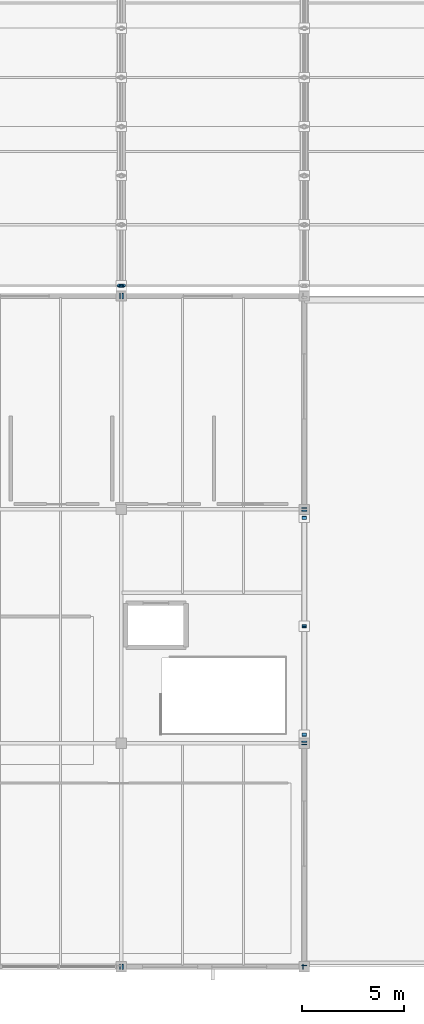
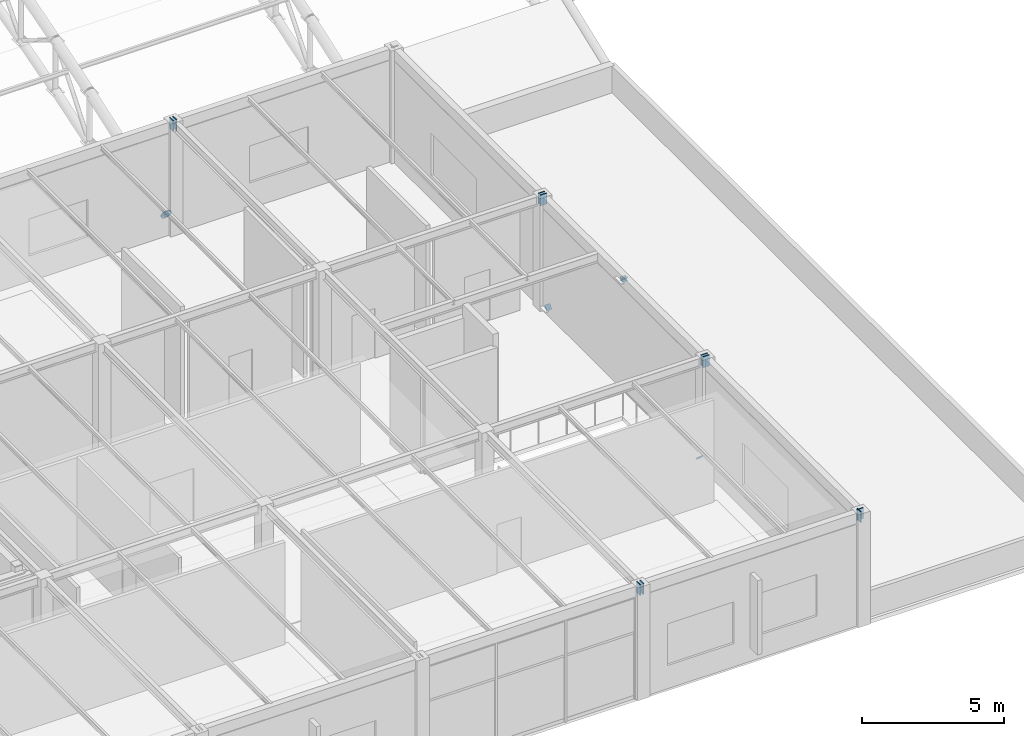
# One storey, part 151 of 195: 16 discrete accessories.
"""IFC4 building model written with IfcOpenShell, lengths in metres."""

from ifc_helpers import new_model, si_unit, direction, frame, origin, origin_2d, place, context, subcontext, project, spatial, rectangle, circle, extrude, material, element, save


model = new_model("IFC4")

# Units and contexts
model_context = context("Model", 3, precision=1e-05, world=origin(), true_north=direction((0.0, 1.0)))
body_context = subcontext(model_context, "Body", "Model", "MODEL_VIEW")
ifc_project = project(units=[si_unit("LENGTHUNIT", "METRE"), si_unit("AREAUNIT", "SQUARE_METRE"), si_unit("VOLUMEUNIT", "CUBIC_METRE"), si_unit("PLANEANGLEUNIT", "RADIAN"), si_unit("MASSUNIT", "GRAM", prefix="KILO")], contexts=[model_context])

# Site, building, storey
site_placement = place(None, origin())
site = spatial("IfcSite", under=ifc_project, at=site_placement, CompositionType="ELEMENT")
building_placement = place(site_placement, origin())
building = spatial("IfcBuilding", under=site, at=building_placement, Name="Marlcrest Central Station", CompositionType="ELEMENT")
storey_placement = place(building_placement, frame((0.0, 0.0, 9.800048828125)))
storey = spatial("IfcBuildingStorey", under=building, at=storey_placement, Name="L02", CompositionType="ELEMENT", Elevation=9.800048828125)

# Discrete accessories
ifc_material = material(Name="Steel S355", Category="steel")
for number, where, z_axis, x_axis, name in (
    (1, (197.9150390625, 0.0, 4.64501953125), (1.0, 0.0, 0.0), (0.0, 1.0, 0.0), "endcap-bm-SP-02-L02-00959-e"),
    (2, (198.045166015625, 0.0, 4.64501953125), (1.0, 0.0, 0.0), (0.0, 1.0, 0.0), "endcap-bm-SP-02-L02-00960-s"),
    (3, (206.9150390625, 0.0, 4.64501953125), (1.0, 0.0, 0.0), (0.0, 1.0, 0.0), "endcap-bm-SP-02-L02-00960-e"),
    (4, (197.9150390625, 33.0, 4.64501953125), (1.0, 0.0, 0.0), (0.0, 1.0, 0.0), "endcap-bm-SP-02-L02-00977-e"),
    (5, (198.045166015625, 33.0, 4.64501953125), (1.0, 0.0, 0.0), (0.0, 1.0, 0.0), "endcap-bm-SP-02-L02-00978-s"),
    (6, (207.0, 0.045166015625, 4.64501953125), (0.0, 1.0, 0.0), (-1.0, 0.0, 0.0), "endcap-bm-SP-02-L02-00997-s"),
    (7, (207.0, 10.9150390625, 4.64501953125), (0.0, 1.0, 0.0), (-1.0, 0.0, 0.0), "endcap-bm-SP-02-L02-00997-e"),
    (8, (207.0, 11.045166015625, 4.64501953125), (0.0, 1.0, 0.0), (-1.0, 0.0, 0.0), "endcap-bm-SP-02-L02-00998-s"),
    (9, (207.0, 22.4150390625, 4.64501953125), (0.0, 1.0, 0.0), (-1.0, 0.0, 0.0), "endcap-bm-SP-02-L02-00998-e"),
    (10, (207.0, 22.545166015625, 4.64501953125), (0.0, 1.0, 0.0), (-1.0, 0.0, 0.0), "endcap-bm-SP-02-L02-00999-s"),
):
    element("IfcDiscreteAccessory", number, at=place(storey_placement, frame(where, z_axis=z_axis, x_axis=x_axis)), inside=storey, material=ifc_material, Name=name, ObjectType="END_CAP_PLATE", PredefinedType="BRACKET", context=body_context, shape_type="SweptSolid", body=[
        extrude(rectangle(XDim=0.26611328125, YDim=0.466064453125, at=origin_2d()), origin(), (0.0, 0.0, 1.0), 0.0400390625),
    ])
for number, where, z_axis, x_axis, name in (
    (11, (207.0, 11.388427734375, 0.1904296875), (0.0, 0.767405461335, 0.641162115158), (-1.0, 0.0, 0.0), "endcap-mem-BF-01-L02-00017-s"),
    (12, (207.0, 16.730712890625, 4.65380859375), (0.0, 0.767405461335, 0.641162115158), (-1.0, 0.0, 0.0), "endcap-mem-BF-01-L02-00017-e"),
    (13, (207.0, 22.111572265625, 0.1904296875), (0.0, -0.767405461335, 0.641162115158), (1.0, 0.0, 0.0), "endcap-mem-BF-01-L02-00018-s"),
    (14, (207.0, 16.769287109375, 4.65380859375), (0.0, -0.767405461335, 0.641162115158), (1.0, 0.0, 0.0), "endcap-mem-BF-01-L02-00018-e"),
):
    element("IfcDiscreteAccessory", number, at=place(storey_placement, frame(where, z_axis=z_axis, x_axis=x_axis)), inside=storey, material=ifc_material, Name=name, ObjectType="END_CAP_PLATE", PredefinedType="BRACKET", context=body_context, shape_type="SweptSolid", body=[
        extrude(rectangle(XDim=0.216064453125, YDim=0.216064453125, at=origin_2d()), origin(), (0.0, 0.0, 1.0), 0.0400390625),
    ])
discrete_accessory_1_placement = place(storey_placement, frame((198.0, 33.486083984375, 0.4404296875), z_axis=(0.0, 0.933324071143, 0.359035065453), x_axis=(-1.0, 0.0, 0.0)))
element("IfcDiscreteAccessory", 15, at=discrete_accessory_1_placement, inside=storey, material=ifc_material, Name="endcap-mem-AC-01-L02-01786-s", ObjectType="END_CAP_PLATE", PredefinedType="BRACKET", context=body_context, shape_type="SweptSolid", body=[
    extrude(circle(Radius=0.211181640625, at=origin_2d()), origin(), (0.0, 0.0, 1.0), 0.0400390625),
])
discrete_accessory_2_placement = place(storey_placement, frame((198.0, 33.523681640625, 0.4375), z_axis=(0.0, -0.944260188635, 0.329200085296), x_axis=(1.0, 0.0, 0.0)))
element("IfcDiscreteAccessory", 16, at=discrete_accessory_2_placement, inside=storey, material=ifc_material, Name="endcap-mem-AD-01-L02-01787-e", ObjectType="END_CAP_PLATE", PredefinedType="BRACKET", context=body_context, shape_type="SweptSolid", body=[
    extrude(circle(Radius=0.092041015625, at=origin_2d()), origin(), (0.0, 0.0, 1.0), 0.0400390625),
])

save(model, "model.ifc")
